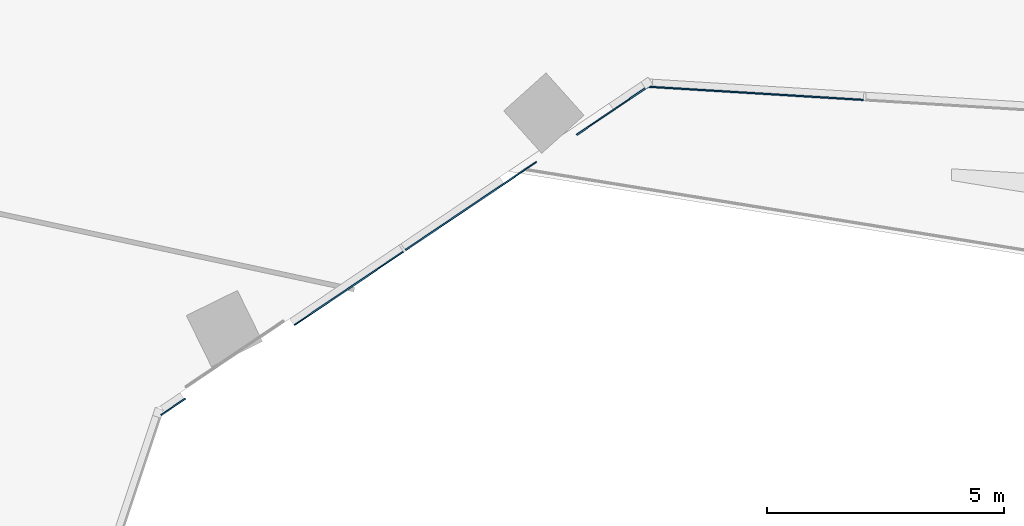
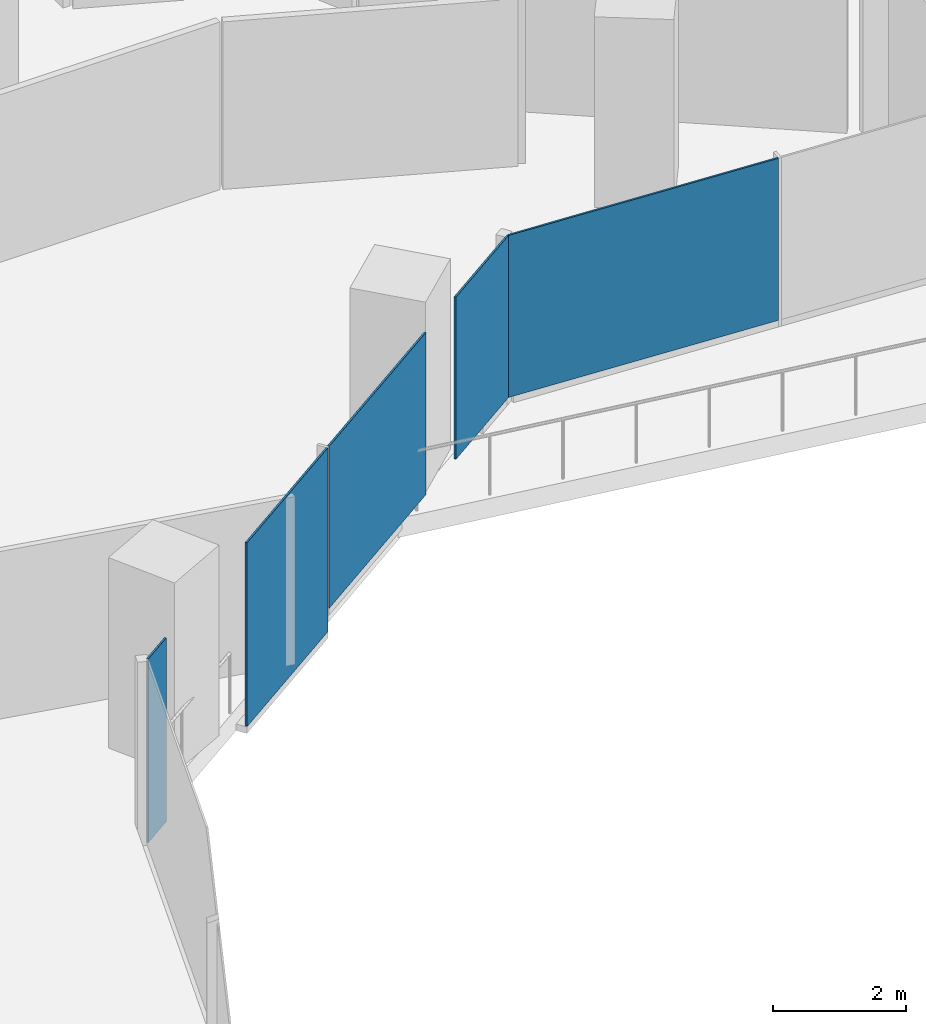
# One storey, part 19 of 34: 5 plates, 2 elements without a shape of their own.
"""IFC4 building model written with IfcOpenShell, lengths in metres."""

from ifc_helpers import new_model, si_unit, direction, frame, origin, origin_2d, place, context, subcontext, project, spatial, rectangle, extrude, material, layer, layer_set, type_object, element, aggregate, save


model = new_model("IFC4")

# Units and contexts
model_context = context("Model", 3, precision=1e-05, world=origin(), true_north=direction((0.0, 1.0)))
body_context = subcontext(model_context, "Body", "Model", "MODEL_VIEW")
ifc_project = project(units=[si_unit("LENGTHUNIT", "METRE"), si_unit("AREAUNIT", "SQUARE_METRE"), si_unit("VOLUMEUNIT", "CUBIC_METRE"), si_unit("PLANEANGLEUNIT", "RADIAN"), si_unit("MASSUNIT", "GRAM", prefix="KILO")], contexts=[model_context])

# Site, building, storey
site_placement = place(None, origin())
site = spatial("IfcSite", under=ifc_project, at=site_placement, CompositionType="ELEMENT")
building_placement = place(site_placement, origin())
building = spatial("IfcBuilding", under=site, at=building_placement, Name="Orlundy Tower", CompositionType="ELEMENT")
storey_placement = place(building_placement, frame((0.0, 0.0, 145.60009765625)))
storey = spatial("IfcBuildingStorey", under=building, at=storey_placement, Name="L37", CompositionType="ELEMENT", Elevation=145.60009765625)

# Curtain wall, plate
ifc_material_1 = material(Name="Aluminium bronze anodised", Category="aluminium")
curtain_wall_type = type_object("IfcCurtainWallType", Name="CW1 wall", PredefinedType="NOTDEFINED", material=ifc_material_1)
curtain_wall_1_placement = place(storey_placement, origin())
curtain_wall_1 = element("IfcCurtainWall", 1, at=curtain_wall_1_placement, inside=storey, type_object=curtain_wall_type, Name="CW1 run 00", PredefinedType="NOTDEFINED")
ifc_material_2 = material(Name="Tinted glass", Category="glass")
ifc_layer = layer(ifc_material_2, 0.031982421875)
ifc_layer_set = layer_set([ifc_layer], Name="CW1 glass panel 32")
plate_type = type_object("IfcPlateType", Name="CW1 glass panel 32", PredefinedType="CURTAIN_PANEL", material=ifc_layer_set)
plate_1_placement = place(storey_placement, frame((24.268310546875, -21.68603515625, 0.119873046875), z_axis=(0.0, 0.0, 1.0), x_axis=(-0.998135153221, 0.061042738341, 0.0)))
plate_1 = element("IfcPlate", 2, at=plate_1_placement, type_object=plate_type, Name="CW1 panel", PredefinedType="CURTAIN_PANEL", context=body_context, shape_type="SweptSolid", body=[
    extrude(rectangle(XDim=4.550048828125, YDim=0.031982421875, at=origin_2d()), origin(), (0.0, 0.0, 1.0), 2.97998046875),
])
aggregate(curtain_wall_1, [plate_1])

# Curtain wall, plates
curtain_wall_2_placement = place(storey_placement, origin())
curtain_wall_2 = element("IfcCurtainWall", 3, at=curtain_wall_2_placement, inside=storey, type_object=curtain_wall_type, Name="CW1 run 01", PredefinedType="NOTDEFINED")
plate_2_placement = place(storey_placement, frame((21.246826171875, -22.05322265625, 0.119873046875), z_axis=(0.0, 0.0, 1.0), x_axis=(-0.829056587538, -0.559164711565, 0.0)))
plate_2 = element("IfcPlate", 4, at=plate_2_placement, type_object=plate_type, Name="CW1 panel", PredefinedType="CURTAIN_PANEL", context=body_context, shape_type="SweptSolid", body=[
    extrude(rectangle(XDim=1.810791015625, YDim=0.031982421875, at=origin_2d()), origin(), (0.0, 0.0, 1.0), 2.97998046875),
])
plate_3_placement = place(storey_placement, frame((18.269775390625, -24.061279296875, 0.119873046875), z_axis=(0.0, 0.0, 1.0), x_axis=(-0.829056587538, -0.559164711565, 0.0)))
plate_3 = element("IfcPlate", 5, at=plate_3_placement, type_object=plate_type, Name="CW1 panel", PredefinedType="CURTAIN_PANEL", context=body_context, shape_type="SweptSolid", body=[
    extrude(rectangle(XDim=3.33203125, YDim=0.031982421875, at=origin_2d()), origin(), (0.0, 0.0, 1.0), 2.97998046875),
])
plate_4_placement = place(storey_placement, frame((15.69921875, -25.794921875, -0.280029296875), z_axis=(0.0, 0.0, 1.0), x_axis=(-0.829056587538, -0.559164711565, 0.0)))
plate_4 = element("IfcPlate", 6, at=plate_4_placement, type_object=plate_type, Name="CW1 panel", PredefinedType="CURTAIN_PANEL", context=body_context, shape_type="SweptSolid", body=[
    extrude(rectangle(XDim=2.7685546875, YDim=0.031982421875, at=origin_2d()), origin(), (0.0, 0.0, 1.0), 3.3798828125),
])
plate_5_placement = place(storey_placement, frame((11.99462890625, -28.293701171875, -0.280029296875), z_axis=(0.0, 0.0, 1.0), x_axis=(-0.829056587538, -0.559164711565, 0.0)))
plate_5 = element("IfcPlate", 7, at=plate_5_placement, type_object=plate_type, Name="CW1 panel", PredefinedType="CURTAIN_PANEL", context=body_context, shape_type="SweptSolid", body=[
    extrude(rectangle(XDim=0.619140625, YDim=0.031982421875, at=origin_2d()), origin(), (0.0, 0.0, 1.0), 3.3798828125),
])
aggregate(curtain_wall_2, [plate_2, plate_3, plate_4, plate_5])

save(model, "model.ifc")
